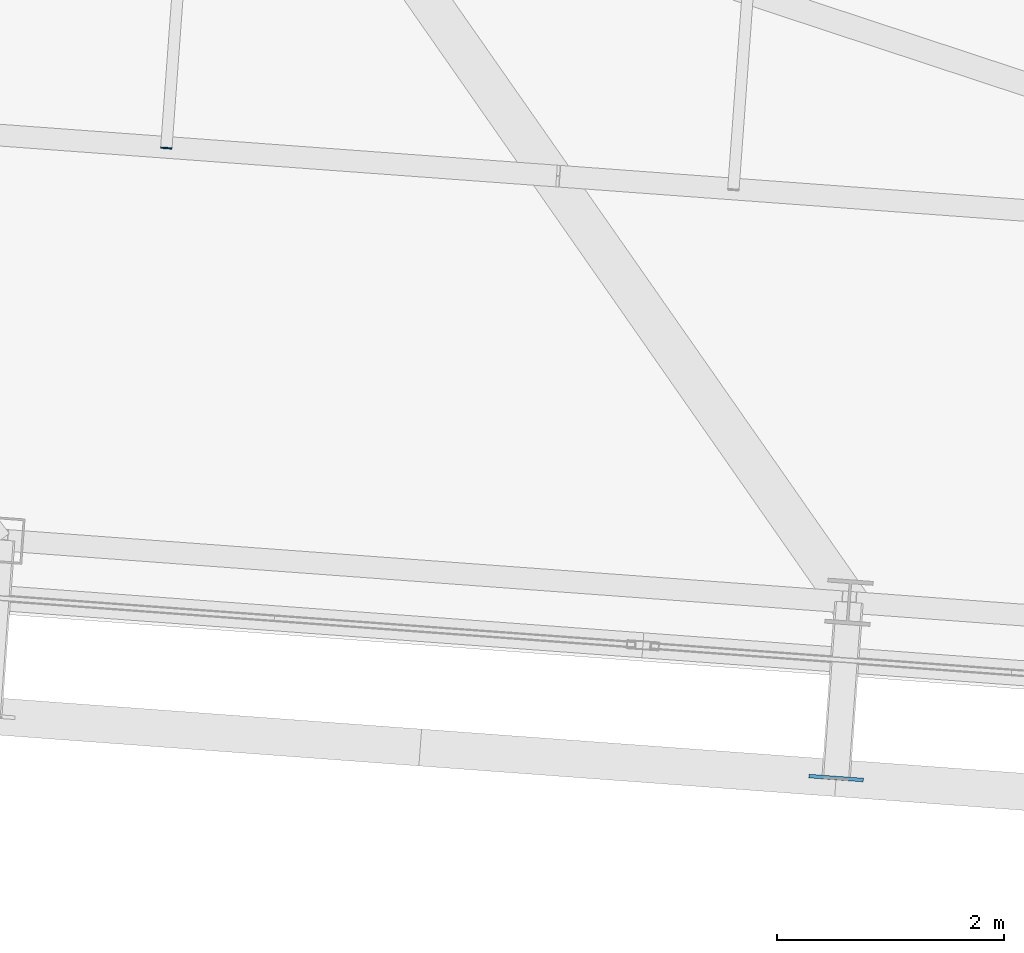
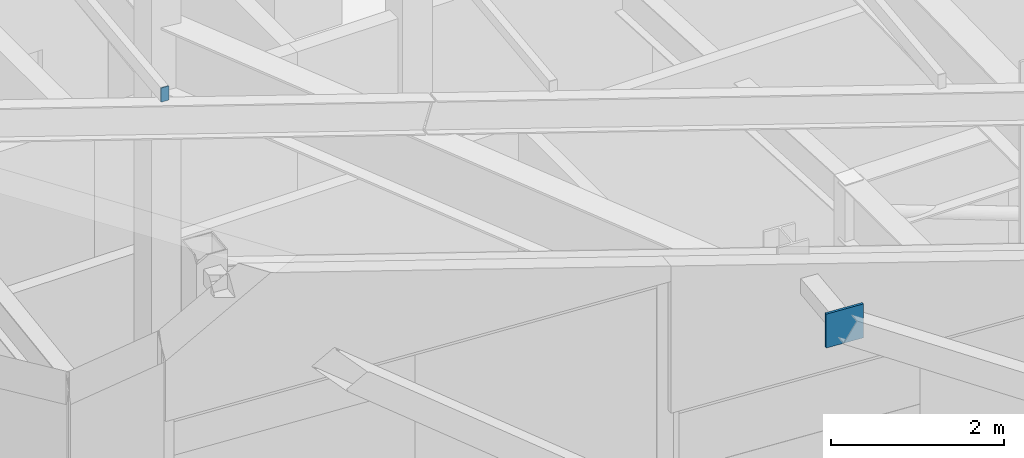
# One storey, part 35 of 56: 2 plates.
"""IFC4 building model written with IfcOpenShell, lengths in metres."""

from ifc_helpers import new_model, si_unit, direction, frame, origin, origin_2d, place, context, subcontext, project, spatial, rectangle, extrude, source, transform, mapped, material, layer, layer_set, type_object, element, save


model = new_model("IFC4")

# Units and contexts
model_context = context("Model", 3, precision=1e-05, world=origin(), true_north=direction((0.0, 1.0)))
body_context = subcontext(model_context, "Body", "Model", "MODEL_VIEW")
ifc_project = project(units=[si_unit("LENGTHUNIT", "METRE"), si_unit("AREAUNIT", "SQUARE_METRE"), si_unit("VOLUMEUNIT", "CUBIC_METRE"), si_unit("PLANEANGLEUNIT", "RADIAN"), si_unit("MASSUNIT", "GRAM", prefix="KILO")], contexts=[model_context])

# Site, building, storey
site_placement = place(None, origin())
site = spatial("IfcSite", under=ifc_project, at=site_placement, CompositionType="ELEMENT")
building_placement = place(site_placement, origin())
building = spatial("IfcBuilding", under=site, at=building_placement, Name="Taldren Reach Tower", CompositionType="ELEMENT")
storey_placement = place(building_placement, frame((0.0, 0.0, 253.050048828125)))
storey = spatial("IfcBuildingStorey", under=building, at=storey_placement, Name="L77", CompositionType="ELEMENT", Elevation=253.050048828125)

# Plates
ifc_material_1 = material(Name="Steel Gr 450 (C450L0)", Category="steel")
ifc_layer_1 = layer(ifc_material_1, 0.031982421875)
ifc_layer_set_1 = layer_set([ifc_layer_1], Name="Steel Gr 450 (C450L0)")
plate_type_1 = type_object("IfcPlateType", Name="PL-GUSSET-32", PredefinedType="SHEET", material=ifc_layer_set_1)
shared_shape_1 = source(origin(), body_context, "Body", "SweptSolid", [
    extrude(rectangle(XDim=0.47998046875, YDim=0.031982421875, at=origin_2d()), origin(), (0.0, 0.0, 1.0), 0.47998046875),
])
plate_1_placement = place(storey_placement, frame((22.487060546875, 4.36669921875, 13.42626953125), z_axis=(0.0, 0.0, 1.0), x_axis=(0.997314477224, -0.073238197128, 0.0)))
element("IfcPlate", 1, at=plate_1_placement, inside=storey, type_object=plate_type_1, Name="Exoskeleton star-node gusset plate B5-S2 L77", PredefinedType="SHEET", context=body_context, shape_type="MappedRepresentation", body=[
    mapped(shared_shape_1, transform((0.0, 0.0, 0.0), scale=1.0)),
])
ifc_material_2 = material(Name="Steel Gr 350 (C350L0)", Category="steel")
ifc_layer_2 = layer(ifc_material_2, 0.011962890625)
ifc_layer_set_2 = layer_set([ifc_layer_2], Name="Steel Gr 350 (C350L0)")
plate_type_2 = type_object("IfcPlateType", Name="PL-CAP-100X200", PredefinedType="SHEET", material=ifc_layer_set_2)
shared_shape_2 = source(origin(), body_context, "Body", "SweptSolid", [
    extrude(rectangle(XDim=0.10009765625, YDim=0.011962890625, at=origin_2d()), origin(), (0.0, 0.0, 1.0), 0.199951171875),
])
plate_2_placement = place(storey_placement, frame((16.596923828125, 9.90673828125, 15.54248046875), z_axis=(0.0, 0.0, 1.0), x_axis=(0.997314477224, -0.073238197128, 0.0)))
element("IfcPlate", 2, at=plate_2_placement, inside=storey, type_object=plate_type_2, Name="Crown roof purlin end cap plate PR-1.1", PredefinedType="SHEET", context=body_context, shape_type="MappedRepresentation", body=[
    mapped(shared_shape_2, transform((0.0, 0.0, 0.0), scale=1.0)),
])

save(model, "model.ifc")
